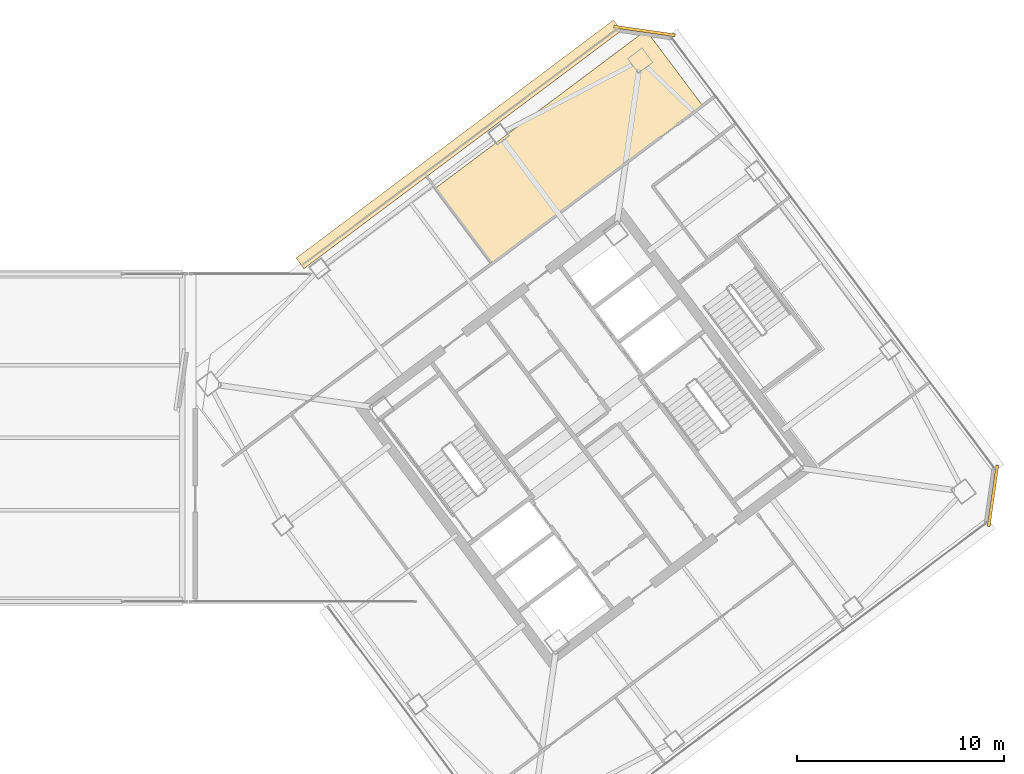
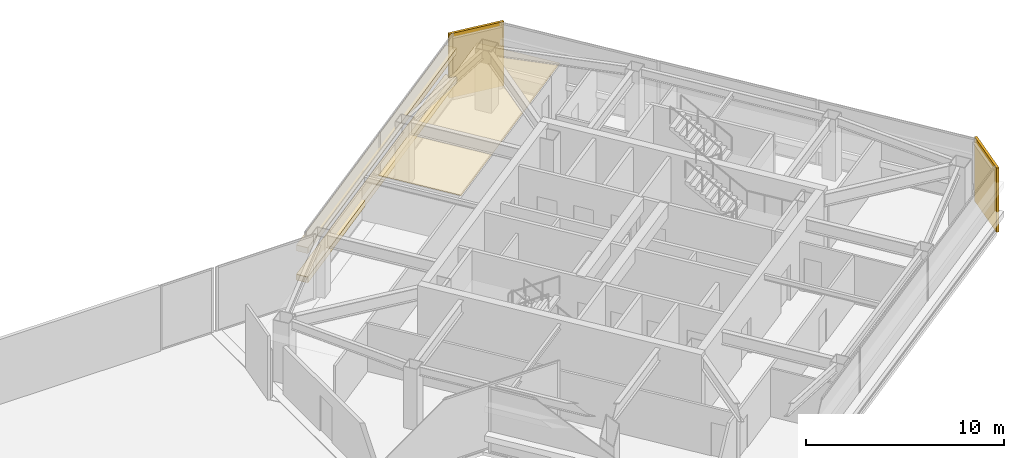
# One storey, part 50 of 51: 5 coverings.
"""IFC4 building model written with IfcOpenShell, lengths in metres."""

from ifc_helpers import new_model, si_unit, direction, frame, origin, origin_2d, place, context, subcontext, project, spatial, polyline, rectangle, outline, extrude, material, layer, layer_set, type_object, element, save


model = new_model("IFC4")

# Units and contexts
model_context = context("Model", 3, precision=1e-05, world=origin(), true_north=direction((0.0, 1.0)))
body_context = subcontext(model_context, "Body", "Model", "MODEL_VIEW")
ifc_project = project(units=[si_unit("LENGTHUNIT", "METRE"), si_unit("AREAUNIT", "SQUARE_METRE"), si_unit("VOLUMEUNIT", "CUBIC_METRE"), si_unit("PLANEANGLEUNIT", "RADIAN"), si_unit("MASSUNIT", "GRAM", prefix="KILO")], contexts=[model_context])

# Site, building, storey
site_placement = place(None, origin())
site = spatial("IfcSite", under=ifc_project, at=site_placement, CompositionType="ELEMENT")
building_placement = place(site_placement, origin())
building = spatial("IfcBuilding", under=site, at=building_placement, Name="Tashvorn Skyway Center", CompositionType="ELEMENT")
storey_placement = place(building_placement, frame((0.0, 0.0, 251.39990234375)))
storey = spatial("IfcBuildingStorey", under=building, at=storey_placement, Name="L68", CompositionType="ELEMENT", Elevation=251.39990234375)

# Coverings
ifc_material_1 = material(Name="Mineral-fibre acoustic ceiling tile on suspended grid")
ifc_layer_1 = layer(ifc_material_1, 0.02001953125)
ifc_layer_set_1 = layer_set([ifc_layer_1], Name="Mineral-fibre acoustic ceiling tile on suspended grid")
covering_type_1 = type_object("IfcCoveringType", Name="COV-CEIL-20", PredefinedType="CEILING", material=ifc_layer_set_1)
covering_placement = place(storey_placement, frame((0.0, 0.0, 2.951171875)))
element("IfcCovering", 1, at=covering_placement, inside=storey, type_object=covering_type_1, Name="Tower 2 L68 Executive Suite Acoustic Ceiling", PredefinedType="CEILING", context=body_context, shape_type="SweptSolid", body=[
    extrude(outline(polyline([(109.449951171875, 40.39990234375), (119.610107421875, 48.02001953125), (116.8798828125, 51.659912109375), (106.719970703125, 44.0400390625), (109.449951171875, 40.39990234375)])), origin(), (0.0, 0.0, 1.0), 0.02001953125),
])
ifc_material_2 = material(Name="Perforated ceramic-coated bronze aluminium solar screen", Category="aluminium")
ifc_layer_2 = layer(ifc_material_2, 0.85009765625)
ifc_layer_set_2 = layer_set([ifc_layer_2], Name="Perforated ceramic-coated bronze aluminium solar screen")
covering_type_2 = type_object("IfcCoveringType", Name="COV-SOLAR-BAND", PredefinedType="CLADDING", material=ifc_layer_set_2)
for number, where, z_axis, x_axis, name in (
    (2, (107.840087890625, 46.155029296875, 0.919921875), (0.0, 0.0, 1.0), (0.799999996291, 0.600000004945, 0.0), "L68 Perforated Ceramic-Metal Solar Screen Louvre Band North 1"),
    (3, (107.840087890625, 46.155029296875, 2.72021484375), (0.0, 0.0, 1.0), (0.799999996291, 0.600000004945, 0.0), "L68 Perforated Ceramic-Metal Solar Screen Louvre Band North 2"),
):
    element("IfcCovering", number, at=place(storey_placement, frame(where, z_axis=z_axis, x_axis=x_axis)), inside=storey, type_object=covering_type_2, Name=name, PredefinedType="CLADDING", context=body_context, shape_type="SweptSolid", body=[
        extrude(rectangle(XDim=19.14990234375, YDim=0.639892578125, at=origin_2d()), origin(), (0.0, 0.0, 1.0), 0.360107421875),
    ])
ifc_material_3 = material(Name="Precast concrete C40/50", Category="concrete")
ifc_layer_3 = layer(ifc_material_3, 0.35009765625)
ifc_layer_set_3 = layer_set([ifc_layer_3], Name="Precast concrete C40/50")
covering_type_3 = type_object("IfcCoveringType", Name="COV-STONE-TRIM", PredefinedType="CLADDING", material=ifc_layer_set_3)
for number, where, z_axis, x_axis, name in (
    (4, (116.803955078125, 51.6279296875, 0.02001953125), (0.0, 0.0, 1.0), (0.989949494535, -0.141421350118, 0.0), "Tower 2 L68 NE Mojave Limestone Corner Quoin"),
    (5, (133.6279296875, 29.196044921875, 0.02001953125), (0.0, 0.0, 1.0), (0.141421350118, 0.989949494535, 0.0), "Tower 2 L68 SE Mojave Limestone Corner Quoin"),
):
    element("IfcCovering", number, at=place(storey_placement, frame(where, z_axis=z_axis, x_axis=x_axis)), inside=storey, type_object=covering_type_3, Name=name, PredefinedType="CLADDING", context=body_context, shape_type="SweptSolid", body=[
        extrude(rectangle(XDim=2.98828125, YDim=0.139892578125, at=origin_2d()), origin(), (0.0, 0.0, 1.0), 3.9599609375),
    ])

save(model, "model.ifc")
